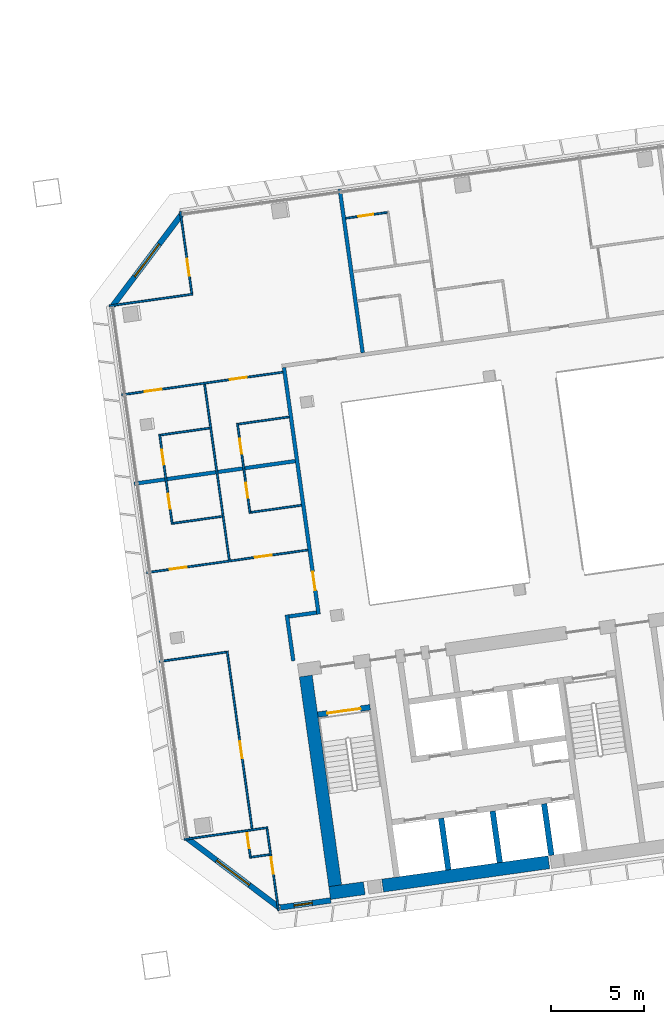
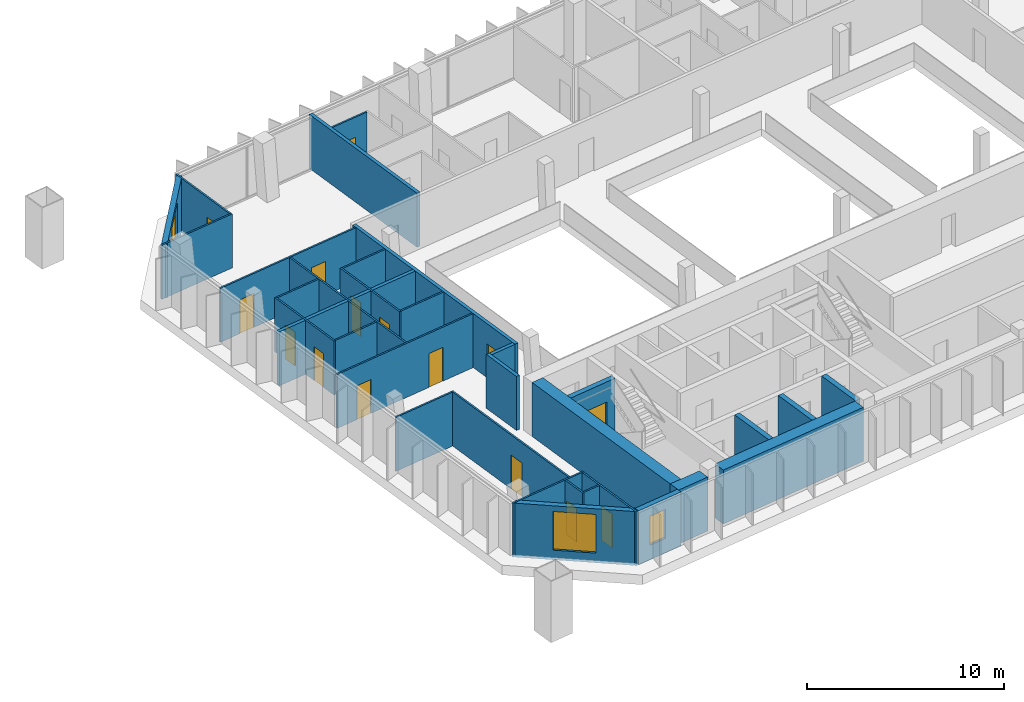
# One storey, part 17 of 23: 33 walls, 15 doors, 3 windows, 18 openings.
"""IFC4 building model written with IfcOpenShell, lengths in metres."""

from ifc_helpers import new_model, si_unit, direction, frame, frame_2d, origin, place, context, subcontext, project, spatial, rectangle, extrude, material, layer, layer_set, type_object, element, fill, save


model = new_model("IFC4")

# Units and contexts
model_context = context("Model", 3, precision=1e-05, world=origin(), true_north=direction((0.0, 1.0)))
body_context = subcontext(model_context, "Body", "Model", "MODEL_VIEW")
ifc_project = project(units=[si_unit("LENGTHUNIT", "METRE"), si_unit("AREAUNIT", "SQUARE_METRE"), si_unit("VOLUMEUNIT", "CUBIC_METRE"), si_unit("PLANEANGLEUNIT", "RADIAN"), si_unit("MASSUNIT", "GRAM", prefix="KILO")], contexts=[model_context])

# Site, building, storey
site_placement = place(None, origin())
site = spatial("IfcSite", under=ifc_project, at=site_placement, CompositionType="ELEMENT")
building_placement = place(site_placement, origin())
building = spatial("IfcBuilding", under=site, at=building_placement, Name="Mirante Cascada Hotel Towers", CompositionType="ELEMENT")
storey_placement = place(building_placement, frame((0.0, 0.0, 199.2)))
storey = spatial("IfcBuildingStorey", under=building, at=storey_placement, Name="L47", CompositionType="ELEMENT", Elevation=199.2)

# Walls
ifc_material_1 = material(Name="Fire-rated plasterboard on metal studs")
ifc_layer_1 = layer(ifc_material_1, 0.2)
ifc_layer_set_1 = layer_set([ifc_layer_1], Name="Compartment wall 200 EI 120")
wall_type_1 = type_object("IfcWallType", Name="Compartment wall 200 EI 120", PredefinedType="PARTITIONING", material=ifc_layer_set_1)
wall_1_placement = place(storey_placement, frame((36.5138, -4.518, 0.0), z_axis=(0.0, 0.0, 1.0), x_axis=(-0.9902735, -0.1391343, 0.0)))
element("IfcWall", 1, at=wall_1_placement, inside=storey, type_object=wall_type_1, Name="Wall 2-L47-07", PredefinedType="PARTITIONING", context=body_context, shape_type="SweptSolid", body=[
    extrude(rectangle(XDim=1.5, YDim=0.2, at=frame_2d((0.75, 0.0))), origin(), (0.0, 0.0, 1.0), 3.35),
])
wall_2_placement = place(storey_placement, frame((26.6958, 2.4164, 0.0), z_axis=(0.0, 0.0, 1.0), x_axis=(0.990268, 0.1391733, 0.0)))
element("IfcWall", 2, at=wall_2_placement, inside=storey, type_object=wall_type_1, Name="Wall 2-L47-14", PredefinedType="PARTITIONING", context=body_context, shape_type="SweptSolid", body=[
    extrude(rectangle(XDim=8.7574, YDim=0.2, at=frame_2d((4.3787, 0.0))), origin(), (0.0, 0.0, 1.0), 3.35),
])
wall_3_placement = place(storey_placement, frame((34.9155, -4.6416, 0.0), z_axis=(0.0, 0.0, 1.0), x_axis=(0.1391586, -0.9902701, 0.0)))
element("IfcWall", 3, at=wall_3_placement, inside=storey, type_object=wall_type_1, Name="Wall 2-L47-37", PredefinedType="PARTITIONING", context=body_context, shape_type="SweptSolid", body=[
    extrude(rectangle(XDim=2.5, YDim=0.2, at=frame_2d((1.25, 0.0))), origin(), (0.0, 0.0, 1.0), 3.35),
])

# Wall, opening, door
wall_4_placement = place(storey_placement, frame((36.6268, -4.6031, 0.0), z_axis=(0.0, 0.0, 1.0), x_axis=(-0.1391789, 0.9902673, 0.0)))
wall_4 = element("IfcWall", 4, at=wall_4_placement, inside=storey, type_object=wall_type_1, Name="Wall 2-L47-38", PredefinedType="PARTITIONING", context=body_context, shape_type="SweptSolid", body=[
    extrude(rectangle(XDim=13.4, YDim=0.2, at=frame_2d((6.7, 0.0))), origin(), (0.0, 0.0, 1.0), 3.35),
])
opening_1_placement = place(wall_4_placement, frame((1.3, 0.0, 0.0)))
opening_1 = element("IfcOpeningElement", 5, at=opening_1_placement, cuts=wall_4, Name="Opening D2-L47-24", PredefinedType="OPENING", context=body_context, shape_type="SweptSolid", body=[
    extrude(rectangle(XDim=1.0, YDim=2.1, at=frame_2d((0.5, 1.05))), frame((0.0, 0.1, 0.0), z_axis=(0.0, -1.0, 0.0), x_axis=(1.0, 0.0, 0.0)), (0.0, 0.0, 1.0), 0.2),
])
ifc_material_2 = material(Name="Fire-rated timber door leaf", Category="wood")
door_type_1 = type_object("IfcDoorType", Name="Entrance door DG1 1000x2100 EI 60", OperationType="SINGLE_SWING_LEFT", PredefinedType="DOOR", material=ifc_material_2)
door_1_placement = place(opening_1_placement, origin())
door_1 = element("IfcDoor", 6, at=door_1_placement, inside=storey, type_object=door_type_1, Name="Door D2-L47-24", OperationType="SINGLE_SWING_LEFT", OverallHeight=2.1, OverallWidth=1.0, PredefinedType="DOOR", context=body_context, shape_type="SweptSolid", body=[
    extrude(rectangle(XDim=1.0, YDim=2.1, at=frame_2d((0.5, 1.05))), frame((0.0, 0.025, 0.0), z_axis=(0.0, -1.0, 0.0), x_axis=(1.0, 0.0, 0.0)), (0.0, 0.0, 1.0), 0.05),
])
fill(opening_1, door_1)

# Walls
wall_5_placement = place(storey_placement, frame((37.7611, 18.2775, 0.0), z_axis=(0.0, 0.0, 1.0), x_axis=(0.1391684, -0.9902687, 0.0)))
element("IfcWall", 7, at=wall_5_placement, inside=storey, type_object=wall_type_1, Name="Wall 2-L47-39", PredefinedType="PARTITIONING", context=body_context, shape_type="SweptSolid", body=[
    extrude(rectangle(XDim=8.9, YDim=0.2, at=frame_2d((4.45, 0.0))), origin(), (0.0, 0.0, 1.0), 3.35),
])
ifc_material_3 = material(Name="Plasterboard on metal studs")
ifc_layer_2 = layer(ifc_material_3, 0.1)
ifc_layer_set_2 = layer_set([ifc_layer_2], Name="Partition 100")
wall_type_2 = type_object("IfcWallType", Name="Partition 100", PredefinedType="PARTITIONING", material=ifc_layer_set_2)
wall_6_placement = place(storey_placement, frame((33.995, -17.5453, 0.0), z_axis=(0.0, 0.0, 1.0), x_axis=(-0.990265, -0.1391951, 0.0)))
element("IfcWall", 8, at=wall_6_placement, inside=storey, type_object=wall_type_2, Name="Wall 2-L47-01", PredefinedType="PARTITIONING", context=body_context, shape_type="SweptSolid", body=[
    extrude(rectangle(XDim=1.0, YDim=0.1, at=frame_2d((0.5, 0.0))), origin(), (0.0, 0.0, 1.0), 3.35),
])
wall_7_placement = place(storey_placement, frame((29.3865, -16.7287, 0.0), z_axis=(0.0, 0.0, 1.0), x_axis=(0.9902691, 0.1391656, 0.0)))
element("IfcWall", 9, at=wall_7_placement, inside=storey, type_object=wall_type_2, Name="Wall 2-L47-02", PredefinedType="PARTITIONING", context=body_context, shape_type="SweptSolid", body=[
    extrude(rectangle(XDim=4.55, YDim=0.1, at=frame_2d((2.275, 0.0))), origin(), (0.0, 0.0, 1.0), 3.35),
])
wall_8_placement = place(storey_placement, frame((31.6586, -6.6477, 0.0), z_axis=(0.0, 0.0, 1.0), x_axis=(-0.9902683, -0.1391714, 0.0)))
element("IfcWall", 10, at=wall_8_placement, inside=storey, type_object=wall_type_2, Name="Wall 2-L47-05", PredefinedType="PARTITIONING", context=body_context, shape_type="SweptSolid", body=[
    extrude(rectangle(XDim=3.6531, YDim=0.1, at=frame_2d((1.8266, 0.0))), origin(), (0.0, 0.0, 1.0), 3.35),
])

# Wall, openings, doors
wall_9_placement = place(storey_placement, frame((27.3685, -2.3698, 0.0), z_axis=(0.0, 0.0, 1.0), x_axis=(0.9902678, 0.1391749, 0.0)))
wall_9 = element("IfcWall", 11, at=wall_9_placement, inside=storey, type_object=wall_type_2, Name="Wall 2-L47-08", PredefinedType="PARTITIONING", context=body_context, shape_type="SweptSolid", body=[
    extrude(rectangle(XDim=8.7573, YDim=0.1, at=frame_2d((4.3787, 0.0))), origin(), (0.0, 0.0, 1.0), 3.35),
])
opening_2_placement = place(wall_9_placement, frame((1.2644, 0.0, 0.0)))
opening_2 = element("IfcOpeningElement", 12, at=opening_2_placement, cuts=wall_9, Name="Opening D2-L47-02", PredefinedType="OPENING", context=body_context, shape_type="SweptSolid", body=[
    extrude(rectangle(XDim=0.9, YDim=2.1, at=frame_2d((0.45, 1.05))), frame((0.0, 0.05, 0.0), z_axis=(0.0, -1.0, 0.0), x_axis=(1.0, 0.0, 0.0)), (0.0, 0.0, 1.0), 0.1),
])
opening_3_placement = place(wall_9_placement, frame((5.8931, 0.0, 0.0)))
opening_3 = element("IfcOpeningElement", 13, at=opening_3_placement, cuts=wall_9, Name="Opening D2-L47-03", PredefinedType="OPENING", context=body_context, shape_type="SweptSolid", body=[
    extrude(rectangle(XDim=0.9, YDim=2.1, at=frame_2d((0.45, 1.05))), frame((0.0, 0.05, 0.0), z_axis=(0.0, -1.0, 0.0), x_axis=(1.0, 0.0, 0.0)), (0.0, 0.0, 1.0), 0.1),
])
ifc_material_4 = material(Name="Timber door leaf", Category="wood")
door_type_2 = type_object("IfcDoorType", Name="Room door DG3 900x2100", OperationType="SINGLE_SWING_LEFT", PredefinedType="DOOR", material=ifc_material_4)
door_2_placement = place(opening_2_placement, frame((0.9, 0.0, 0.0), z_axis=(0.0, 0.0, 1.0), x_axis=(-1.0, 0.0, 0.0)))
door_2 = element("IfcDoor", 14, at=door_2_placement, inside=storey, type_object=door_type_2, Name="Door D2-L47-02", OperationType="SINGLE_SWING_RIGHT", OverallHeight=2.1, OverallWidth=0.9, PredefinedType="DOOR", context=body_context, shape_type="SweptSolid", body=[
    extrude(rectangle(XDim=0.9, YDim=2.1, at=frame_2d((0.45, 1.05))), frame((0.0, 0.025, 0.0), z_axis=(0.0, -1.0, 0.0), x_axis=(1.0, 0.0, 0.0)), (0.0, 0.0, 1.0), 0.05),
])
fill(opening_2, door_2)
door_3_placement = place(opening_3_placement, frame((0.9, 0.0, 0.0), z_axis=(0.0, 0.0, 1.0), x_axis=(-1.0, 0.0, 0.0)))
door_3 = element("IfcDoor", 15, at=door_3_placement, inside=storey, type_object=door_type_2, Name="Door D2-L47-03", OperationType="SINGLE_SWING_RIGHT", OverallHeight=2.1, OverallWidth=0.9, PredefinedType="DOOR", context=body_context, shape_type="SweptSolid", body=[
    extrude(rectangle(XDim=0.9, YDim=2.1, at=frame_2d((0.45, 1.05))), frame((0.0, 0.025, 0.0), z_axis=(0.0, -1.0, 0.0), x_axis=(1.0, 0.0, 0.0)), (0.0, 0.0, 1.0), 0.05),
])
fill(opening_3, door_3)

# Walls
wall_10_placement = place(storey_placement, frame((31.4365, 0.6591, 0.0), z_axis=(0.0, 0.0, 1.0), x_axis=(-0.9902667, -0.1391831, 0.0)))
element("IfcWall", 16, at=wall_10_placement, inside=storey, type_object=wall_type_2, Name="Wall 2-L47-11", PredefinedType="PARTITIONING", context=body_context, shape_type="SweptSolid", body=[
    extrude(rectangle(XDim=2.6713, YDim=0.1, at=frame_2d((1.3356, 0.0))), origin(), (0.0, 0.0, 1.0), 3.35),
])
wall_11_placement = place(storey_placement, frame((32.9787, 0.8758, 0.0), z_axis=(0.0, 0.0, 1.0), x_axis=(0.9902648, 0.1391963, 0.0)))
element("IfcWall", 17, at=wall_11_placement, inside=storey, type_object=wall_type_2, Name="Wall 2-L47-12", PredefinedType="PARTITIONING", context=body_context, shape_type="SweptSolid", body=[
    extrude(rectangle(XDim=2.7501, YDim=0.1, at=frame_2d((1.3751, 0.0))), origin(), (0.0, 0.0, 1.0), 3.35),
])
wall_12_placement = place(storey_placement, frame((30.7685, 5.4124, 0.0), z_axis=(0.0, 0.0, 1.0), x_axis=(-0.9902667, -0.1391831, 0.0)))
element("IfcWall", 18, at=wall_12_placement, inside=storey, type_object=wall_type_2, Name="Wall 2-L47-15", PredefinedType="PARTITIONING", context=body_context, shape_type="SweptSolid", body=[
    extrude(rectangle(XDim=2.6713, YDim=0.1, at=frame_2d((1.3356, 0.0))), origin(), (0.0, 0.0, 1.0), 3.35),
])
wall_13_placement = place(storey_placement, frame((32.3107, 5.6291, 0.0), z_axis=(0.0, 0.0, 1.0), x_axis=(0.9902648, 0.1391963, 0.0)))
element("IfcWall", 19, at=wall_13_placement, inside=storey, type_object=wall_type_2, Name="Wall 2-L47-16", PredefinedType="PARTITIONING", context=body_context, shape_type="SweptSolid", body=[
    extrude(rectangle(XDim=2.7501, YDim=0.1, at=frame_2d((1.3751, 0.0))), origin(), (0.0, 0.0, 1.0), 3.35),
])

# Wall, openings, doors
wall_14_placement = place(storey_placement, frame((34.6953, 8.4216, 0.0), z_axis=(0.0, 0.0, 1.0), x_axis=(-0.990268, -0.1391733, 0.0)))
wall_14 = element("IfcWall", 20, at=wall_14_placement, inside=storey, type_object=wall_type_2, Name="Wall 2-L47-17", PredefinedType="PARTITIONING", context=body_context, shape_type="SweptSolid", body=[
    extrude(rectangle(XDim=8.7574, YDim=0.1, at=frame_2d((4.3787, 0.0))), origin(), (0.0, 0.0, 1.0), 3.35),
])
opening_4_placement = place(wall_14_placement, frame((6.593, 0.0, 0.0)))
opening_4 = element("IfcOpeningElement", 21, at=opening_4_placement, cuts=wall_14, Name="Opening D2-L47-04", PredefinedType="OPENING", context=body_context, shape_type="SweptSolid", body=[
    extrude(rectangle(XDim=0.9, YDim=2.1, at=frame_2d((0.45, 1.05))), frame((0.0, 0.05, 0.0), z_axis=(0.0, -1.0, 0.0), x_axis=(1.0, 0.0, 0.0)), (0.0, 0.0, 1.0), 0.1),
])
opening_5_placement = place(wall_14_placement, frame((1.9643, 0.0, 0.0)))
opening_5 = element("IfcOpeningElement", 22, at=opening_5_placement, cuts=wall_14, Name="Opening D2-L47-05", PredefinedType="OPENING", context=body_context, shape_type="SweptSolid", body=[
    extrude(rectangle(XDim=0.9, YDim=2.1, at=frame_2d((0.45, 1.05))), frame((0.0, 0.05, 0.0), z_axis=(0.0, -1.0, 0.0), x_axis=(1.0, 0.0, 0.0)), (0.0, 0.0, 1.0), 0.1),
])
door_4_placement = place(opening_4_placement, frame((0.9, 0.0, 0.0), z_axis=(0.0, 0.0, 1.0), x_axis=(-1.0, 0.0, 0.0)))
door_4 = element("IfcDoor", 23, at=door_4_placement, inside=storey, type_object=door_type_2, Name="Door D2-L47-04", OperationType="SINGLE_SWING_RIGHT", OverallHeight=2.1, OverallWidth=0.9, PredefinedType="DOOR", context=body_context, shape_type="SweptSolid", body=[
    extrude(rectangle(XDim=0.9, YDim=2.1, at=frame_2d((0.45, 1.05))), frame((0.0, 0.025, 0.0), z_axis=(0.0, -1.0, 0.0), x_axis=(1.0, 0.0, 0.0)), (0.0, 0.0, 1.0), 0.05),
])
fill(opening_4, door_4)
door_5_placement = place(opening_5_placement, frame((0.9, 0.0, 0.0), z_axis=(0.0, 0.0, 1.0), x_axis=(-1.0, 0.0, 0.0)))
door_5 = element("IfcDoor", 24, at=door_5_placement, inside=storey, type_object=door_type_2, Name="Door D2-L47-05", OperationType="SINGLE_SWING_RIGHT", OverallHeight=2.1, OverallWidth=0.9, PredefinedType="DOOR", context=body_context, shape_type="SweptSolid", body=[
    extrude(rectangle(XDim=0.9, YDim=2.1, at=frame_2d((0.45, 1.05))), frame((0.0, 0.025, 0.0), z_axis=(0.0, -1.0, 0.0), x_axis=(1.0, 0.0, 0.0)), (0.0, 0.0, 1.0), 0.05),
])
fill(opening_5, door_5)

# Wall
wall_15_placement = place(storey_placement, frame((29.8562, 12.6223, 0.0), z_axis=(0.0, 0.0, 1.0), x_axis=(-0.9902661, -0.1391871, 0.0)))
element("IfcWall", 25, at=wall_15_placement, inside=storey, type_object=wall_type_2, Name="Wall 2-L47-25", PredefinedType="PARTITIONING", context=body_context, shape_type="SweptSolid", body=[
    extrude(rectangle(XDim=4.55, YDim=0.1, at=frame_2d((2.275, 0.0))), origin(), (0.0, 0.0, 1.0), 3.35),
])

# Wall, opening, door
wall_16_placement = place(storey_placement, frame((38.0828, 16.707, 0.0), z_axis=(0.0, 0.0, 1.0), x_axis=(0.9902705, 0.1391561, 0.0)))
wall_16 = element("IfcWall", 26, at=wall_16_placement, inside=storey, type_object=wall_type_2, Name="Wall 2-L47-28", PredefinedType="PARTITIONING", context=body_context, shape_type="SweptSolid", body=[
    extrude(rectangle(XDim=2.25, YDim=0.1, at=frame_2d((1.125, 0.0))), origin(), (0.0, 0.0, 1.0), 3.35),
])
opening_6_placement = place(wall_16_placement, frame((0.7, 0.0, 0.0)))
opening_6 = element("IfcOpeningElement", 27, at=opening_6_placement, cuts=wall_16, Name="Opening D2-L47-14", PredefinedType="OPENING", context=body_context, shape_type="SweptSolid", body=[
    extrude(rectangle(XDim=0.8, YDim=2.1, at=frame_2d((0.4, 1.05))), frame((0.0, 0.05, 0.0), z_axis=(0.0, -1.0, 0.0), x_axis=(1.0, 0.0, 0.0)), (0.0, 0.0, 1.0), 0.1),
])
ifc_material_5 = material(Name="Timber door leaf", Category="wood")
door_type_3 = type_object("IfcDoorType", Name="Bathroom door DG4 800x2100", OperationType="SINGLE_SWING_LEFT", PredefinedType="DOOR", material=ifc_material_5)
door_6_placement = place(opening_6_placement, frame((0.8, 0.0, 0.0), z_axis=(0.0, 0.0, 1.0), x_axis=(-1.0, 0.0, 0.0)))
door_6 = element("IfcDoor", 28, at=door_6_placement, inside=storey, type_object=door_type_3, Name="Door D2-L47-14", OperationType="SINGLE_SWING_RIGHT", OverallHeight=2.1, OverallWidth=0.8, PredefinedType="DOOR", context=body_context, shape_type="SweptSolid", body=[
    extrude(rectangle(XDim=0.8, YDim=2.1, at=frame_2d((0.4, 1.05))), frame((0.0, 0.025, 0.0), z_axis=(0.0, -1.0, 0.0), x_axis=(1.0, 0.0, 0.0)), (0.0, 0.0, 1.0), 0.05),
])
fill(opening_6, door_6)

# Wall, openings, doors
wall_17_placement = place(storey_placement, frame((28.7486, 0.2309, 0.0), z_axis=(0.0, 0.0, 1.0), x_axis=(-0.1391638, 0.9902694, 0.0)))
wall_17 = element("IfcWall", 29, at=wall_17_placement, inside=storey, type_object=wall_type_2, Name="Wall 2-L47-30", PredefinedType="PARTITIONING", context=body_context, shape_type="SweptSolid", body=[
    extrude(rectangle(XDim=4.9, YDim=0.1, at=frame_2d((2.45, 0.0))), origin(), (0.0, 0.0, 1.0), 3.35),
])
opening_7_placement = place(wall_17_placement, frame((0.85, 0.0, 0.0)))
opening_7 = element("IfcOpeningElement", 30, at=opening_7_placement, cuts=wall_17, Name="Opening D2-L47-16", PredefinedType="OPENING", context=body_context, shape_type="SweptSolid", body=[
    extrude(rectangle(XDim=0.8, YDim=2.1, at=frame_2d((0.4, 1.05))), frame((0.0, 0.05, 0.0), z_axis=(0.0, -1.0, 0.0), x_axis=(1.0, 0.0, 0.0)), (0.0, 0.0, 1.0), 0.1),
])
opening_8_placement = place(wall_17_placement, frame((3.25, 0.0, 0.0)))
opening_8 = element("IfcOpeningElement", 31, at=opening_8_placement, cuts=wall_17, Name="Opening D2-L47-17", PredefinedType="OPENING", context=body_context, shape_type="SweptSolid", body=[
    extrude(rectangle(XDim=0.8, YDim=2.1, at=frame_2d((0.4, 1.05))), frame((0.0, 0.05, 0.0), z_axis=(0.0, -1.0, 0.0), x_axis=(1.0, 0.0, 0.0)), (0.0, 0.0, 1.0), 0.1),
])
door_7_placement = place(opening_7_placement, frame((0.8, 0.0, 0.0), z_axis=(0.0, 0.0, 1.0), x_axis=(-1.0, 0.0, 0.0)))
door_7 = element("IfcDoor", 32, at=door_7_placement, inside=storey, type_object=door_type_3, Name="Door D2-L47-16", OperationType="SINGLE_SWING_RIGHT", OverallHeight=2.1, OverallWidth=0.8, PredefinedType="DOOR", context=body_context, shape_type="SweptSolid", body=[
    extrude(rectangle(XDim=0.8, YDim=2.1, at=frame_2d((0.4, 1.05))), frame((0.0, 0.025, 0.0), z_axis=(0.0, -1.0, 0.0), x_axis=(1.0, 0.0, 0.0)), (0.0, 0.0, 1.0), 0.05),
])
fill(opening_7, door_7)
door_8_placement = place(opening_8_placement, frame((0.8, 0.0, 0.0), z_axis=(0.0, 0.0, 1.0), x_axis=(-1.0, 0.0, 0.0)))
door_8 = element("IfcDoor", 33, at=door_8_placement, inside=storey, type_object=door_type_3, Name="Door D2-L47-17", OperationType="SINGLE_SWING_RIGHT", OverallHeight=2.1, OverallWidth=0.8, PredefinedType="DOOR", context=body_context, shape_type="SweptSolid", body=[
    extrude(rectangle(XDim=0.8, YDim=2.1, at=frame_2d((0.4, 1.05))), frame((0.0, 0.025, 0.0), z_axis=(0.0, -1.0, 0.0), x_axis=(1.0, 0.0, 0.0)), (0.0, 0.0, 1.0), 0.05),
])
fill(opening_8, door_8)

# Wall, opening, door
wall_18_placement = place(storey_placement, frame((32.7603, -16.3051, 0.0), z_axis=(0.0, 0.0, 1.0), x_axis=(0.1391809, -0.990267, 0.0)))
wall_18 = element("IfcWall", 34, at=wall_18_placement, inside=storey, type_object=wall_type_2, Name="Wall 2-L47-31", PredefinedType="PARTITIONING", context=body_context, shape_type="SweptSolid", body=[
    extrude(rectangle(XDim=1.4499, YDim=0.1, at=frame_2d((0.725, 0.0))), origin(), (0.0, 0.0, 1.0), 3.35),
])
opening_9_placement = place(wall_18_placement, frame((0.1, 0.0, 0.0)))
opening_9 = element("IfcOpeningElement", 35, at=opening_9_placement, cuts=wall_18, Name="Opening D2-L47-18", PredefinedType="OPENING", context=body_context, shape_type="SweptSolid", body=[
    extrude(rectangle(XDim=0.8, YDim=2.1, at=frame_2d((0.4, 1.05))), frame((0.0, 0.05, 0.0), z_axis=(0.0, -1.0, 0.0), x_axis=(1.0, 0.0, 0.0)), (0.0, 0.0, 1.0), 0.1),
])
door_9_placement = place(opening_9_placement, origin())
door_9 = element("IfcDoor", 36, at=door_9_placement, inside=storey, type_object=door_type_3, Name="Door D2-L47-18", OperationType="SINGLE_SWING_LEFT", OverallHeight=2.1, OverallWidth=0.8, PredefinedType="DOOR", context=body_context, shape_type="SweptSolid", body=[
    extrude(rectangle(XDim=0.8, YDim=2.1, at=frame_2d((0.4, 1.05))), frame((0.0, 0.025, 0.0), z_axis=(0.0, -1.0, 0.0), x_axis=(1.0, 0.0, 0.0)), (0.0, 0.0, 1.0), 0.05),
])
fill(opening_9, door_9)

wall_19_placement = place(storey_placement, frame((33.0465, -16.1639, 0.0), z_axis=(0.0, 0.0, 1.0), x_axis=(-0.1391776, 0.9902674, 0.0)))
wall_19 = element("IfcWall", 37, at=wall_19_placement, inside=storey, type_object=wall_type_2, Name="Wall 2-L47-32", PredefinedType="PARTITIONING", context=body_context, shape_type="SweptSolid", body=[
    extrude(rectangle(XDim=9.6668, YDim=0.1, at=frame_2d((4.8334, 0.0))), origin(), (0.0, 0.0, 1.0), 3.35),
])
opening_10_placement = place(wall_19_placement, frame((3.85, 0.0, 0.0)))
opening_10 = element("IfcOpeningElement", 38, at=opening_10_placement, cuts=wall_19, Name="Opening D2-L47-19", PredefinedType="OPENING", context=body_context, shape_type="SweptSolid", body=[
    extrude(rectangle(XDim=0.9, YDim=2.1, at=frame_2d((0.45, 1.05))), frame((0.0, 0.05, 0.0), z_axis=(0.0, -1.0, 0.0), x_axis=(1.0, 0.0, 0.0)), (0.0, 0.0, 1.0), 0.1),
])
door_10_placement = place(opening_10_placement, frame((0.9, 0.0, 0.0), z_axis=(0.0, 0.0, 1.0), x_axis=(-1.0, 0.0, 0.0)))
door_10 = element("IfcDoor", 39, at=door_10_placement, inside=storey, type_object=door_type_2, Name="Door D2-L47-19", OperationType="SINGLE_SWING_RIGHT", OverallHeight=2.1, OverallWidth=0.9, PredefinedType="DOOR", context=body_context, shape_type="SweptSolid", body=[
    extrude(rectangle(XDim=0.9, YDim=2.1, at=frame_2d((0.45, 1.05))), frame((0.0, 0.025, 0.0), z_axis=(0.0, -1.0, 0.0), x_axis=(1.0, 0.0, 0.0)), (0.0, 0.0, 1.0), 0.05),
])
fill(opening_10, door_10)

wall_20_placement = place(storey_placement, frame((33.8496, -16.152, 0.0), z_axis=(0.0, 0.0, 1.0), x_axis=(0.1391904, -0.9902656, 0.0)))
wall_20 = element("IfcWall", 40, at=wall_20_placement, inside=storey, type_object=wall_type_2, Name="Wall 2-L47-33", PredefinedType="PARTITIONING", context=body_context, shape_type="SweptSolid", body=[
    extrude(rectangle(XDim=4.45, YDim=0.1, at=frame_2d((2.225, 0.0))), origin(), (0.0, 0.0, 1.0), 3.35),
])
opening_11_placement = place(wall_20_placement, frame((1.55, 0.0, 0.0)))
opening_11 = element("IfcOpeningElement", 41, at=opening_11_placement, cuts=wall_20, Name="Opening D2-L47-20", PredefinedType="OPENING", context=body_context, shape_type="SweptSolid", body=[
    extrude(rectangle(XDim=0.9, YDim=2.1, at=frame_2d((0.45, 1.05))), frame((0.0, 0.05, 0.0), z_axis=(0.0, -1.0, 0.0), x_axis=(1.0, 0.0, 0.0)), (0.0, 0.0, 1.0), 0.1),
])
door_11_placement = place(opening_11_placement, origin())
door_11 = element("IfcDoor", 42, at=door_11_placement, inside=storey, type_object=door_type_2, Name="Door D2-L47-20", OperationType="SINGLE_SWING_LEFT", OverallHeight=2.1, OverallWidth=0.9, PredefinedType="DOOR", context=body_context, shape_type="SweptSolid", body=[
    extrude(rectangle(XDim=0.9, YDim=2.1, at=frame_2d((0.45, 1.05))), frame((0.0, 0.025, 0.0), z_axis=(0.0, -1.0, 0.0), x_axis=(1.0, 0.0, 0.0)), (0.0, 0.0, 1.0), 0.05),
])
fill(opening_11, door_11)

# Wall
wall_21_placement = place(storey_placement, frame((31.8177, -1.694, 0.0), z_axis=(0.0, 0.0, 1.0), x_axis=(-0.1391703, 0.9902685, 0.0)))
element("IfcWall", 43, at=wall_21_placement, inside=storey, type_object=wall_type_2, Name="Wall 2-L47-34", PredefinedType="PARTITIONING", context=body_context, shape_type="SweptSolid", body=[
    extrude(rectangle(XDim=9.5667, YDim=0.1, at=frame_2d((4.7834, 0.0))), origin(), (0.0, 0.0, 1.0), 3.35),
])

# Wall, opening, door
wall_22_placement = place(storey_placement, frame((29.1804, 17.0715, 0.0), z_axis=(0.0, 0.0, 1.0), x_axis=(0.1391684, -0.9902687, 0.0)))
wall_22 = element("IfcWall", 44, at=wall_22_placement, inside=storey, type_object=wall_type_2, Name="Wall 2-L47-35", PredefinedType="PARTITIONING", context=body_context, shape_type="SweptSolid", body=[
    extrude(rectangle(XDim=4.45, YDim=0.1, at=frame_2d((2.225, 0.0))), origin(), (0.0, 0.0, 1.0), 3.35),
])
opening_12_placement = place(wall_22_placement, frame((2.5833, 0.0, 0.0)))
opening_12 = element("IfcOpeningElement", 45, at=opening_12_placement, cuts=wall_22, Name="Opening D2-L47-21", PredefinedType="OPENING", context=body_context, shape_type="SweptSolid", body=[
    extrude(rectangle(XDim=0.9, YDim=2.1, at=frame_2d((0.45, 1.05))), frame((0.0, 0.05, 0.0), z_axis=(0.0, -1.0, 0.0), x_axis=(1.0, 0.0, 0.0)), (0.0, 0.0, 1.0), 0.1),
])
door_12_placement = place(opening_12_placement, origin())
door_12 = element("IfcDoor", 46, at=door_12_placement, inside=storey, type_object=door_type_2, Name="Door D2-L47-21", OperationType="SINGLE_SWING_LEFT", OverallHeight=2.1, OverallWidth=0.9, PredefinedType="DOOR", context=body_context, shape_type="SweptSolid", body=[
    extrude(rectangle(XDim=0.9, YDim=2.1, at=frame_2d((0.45, 1.05))), frame((0.0, 0.025, 0.0), z_axis=(0.0, -1.0, 0.0), x_axis=(1.0, 0.0, 0.0)), (0.0, 0.0, 1.0), 0.05),
])
fill(opening_12, door_12)

# Wall, openings, doors
wall_23_placement = place(storey_placement, frame((32.9362, 0.8194, 0.0), z_axis=(0.0, 0.0, 1.0), x_axis=(-0.1391838, 0.9902666, 0.0)))
wall_23 = element("IfcWall", 47, at=wall_23_placement, inside=storey, type_object=wall_type_2, Name="Wall 2-L47-36", PredefinedType="PARTITIONING", context=body_context, shape_type="SweptSolid", body=[
    extrude(rectangle(XDim=4.9, YDim=0.1, at=frame_2d((2.45, 0.0))), origin(), (0.0, 0.0, 1.0), 3.35),
])
opening_13_placement = place(wall_23_placement, frame((0.85, 0.0, 0.0)))
opening_13 = element("IfcOpeningElement", 48, at=opening_13_placement, cuts=wall_23, Name="Opening D2-L47-22", PredefinedType="OPENING", context=body_context, shape_type="SweptSolid", body=[
    extrude(rectangle(XDim=0.8, YDim=2.1, at=frame_2d((0.4, 1.05))), frame((0.0, 0.05, 0.0), z_axis=(0.0, -1.0, 0.0), x_axis=(1.0, 0.0, 0.0)), (0.0, 0.0, 1.0), 0.1),
])
opening_14_placement = place(wall_23_placement, frame((3.25, 0.0, 0.0)))
opening_14 = element("IfcOpeningElement", 49, at=opening_14_placement, cuts=wall_23, Name="Opening D2-L47-23", PredefinedType="OPENING", context=body_context, shape_type="SweptSolid", body=[
    extrude(rectangle(XDim=0.8, YDim=2.1, at=frame_2d((0.4, 1.05))), frame((0.0, 0.05, 0.0), z_axis=(0.0, -1.0, 0.0), x_axis=(1.0, 0.0, 0.0)), (0.0, 0.0, 1.0), 0.1),
])
door_13_placement = place(opening_13_placement, frame((0.8, 0.0, 0.0), z_axis=(0.0, 0.0, 1.0), x_axis=(-1.0, 0.0, 0.0)))
door_13 = element("IfcDoor", 50, at=door_13_placement, inside=storey, type_object=door_type_3, Name="Door D2-L47-22", OperationType="SINGLE_SWING_RIGHT", OverallHeight=2.1, OverallWidth=0.8, PredefinedType="DOOR", context=body_context, shape_type="SweptSolid", body=[
    extrude(rectangle(XDim=0.8, YDim=2.1, at=frame_2d((0.4, 1.05))), frame((0.0, 0.025, 0.0), z_axis=(0.0, -1.0, 0.0), x_axis=(1.0, 0.0, 0.0)), (0.0, 0.0, 1.0), 0.05),
])
fill(opening_13, door_13)
door_14_placement = place(opening_14_placement, frame((0.8, 0.0, 0.0), z_axis=(0.0, 0.0, 1.0), x_axis=(-1.0, 0.0, 0.0)))
door_14 = element("IfcDoor", 51, at=door_14_placement, inside=storey, type_object=door_type_3, Name="Door D2-L47-23", OperationType="SINGLE_SWING_RIGHT", OverallHeight=2.1, OverallWidth=0.8, PredefinedType="DOOR", context=body_context, shape_type="SweptSolid", body=[
    extrude(rectangle(XDim=0.8, YDim=2.1, at=frame_2d((0.4, 1.05))), frame((0.0, 0.025, 0.0), z_axis=(0.0, -1.0, 0.0), x_axis=(1.0, 0.0, 0.0)), (0.0, 0.0, 1.0), 0.05),
])
fill(opening_14, door_14)

# Wall, opening, window
ifc_material_6 = material(Name="Precast concrete C40/50", Category="concrete")
ifc_layer_3 = layer(ifc_material_6, 0.3)
ifc_layer_set_3 = layer_set([ifc_layer_3], Name="Precast concrete C40/50 cladding wall 300")
wall_type_3 = type_object("IfcWallType", Name="Precast concrete C40/50 cladding wall 300", PredefinedType="STANDARD", material=ifc_layer_set_3)
wall_24_placement = place(storey_placement, frame((34.571, -20.3928, 0.0), z_axis=(0.0, 0.0, 1.0), x_axis=(0.9902682, 0.1391724, 0.0)))
wall_24 = element("IfcWall", 52, at=wall_24_placement, inside=storey, type_object=wall_type_3, Name="Rear cladding wall T2 L47 1", PredefinedType="STANDARD", context=body_context, shape_type="SweptSolid", body=[
    extrude(rectangle(XDim=2.7333, YDim=0.3, at=frame_2d((1.3666, 0.0))), origin(), (0.0, 0.0, 1.0), 3.35),
])
opening_15_placement = place(wall_24_placement, frame((0.7366, 0.0, 0.9)))
opening_15 = element("IfcOpeningElement", 53, at=opening_15_placement, cuts=wall_24, Name="Opening W2-47-05", PredefinedType="OPENING", context=body_context, shape_type="SweptSolid", body=[
    extrude(rectangle(XDim=1.0, YDim=1.8, at=frame_2d((0.5, 0.9))), frame((0.0, 0.15, 0.0), z_axis=(0.0, -1.0, 0.0), x_axis=(1.0, 0.0, 0.0)), (0.0, 0.0, 1.0), 0.3),
])
ifc_material_7 = material(Name="Aluminium frame with clear double glazing", Category="aluminium")
window_type_1 = type_object("IfcWindowType", Name="Punched window 1000x1800", PartitioningType="SINGLE_PANEL", PredefinedType="WINDOW", material=ifc_material_7)
window_1_placement = place(opening_15_placement, origin())
window_1 = element("IfcWindow", 54, at=window_1_placement, inside=storey, type_object=window_type_1, Name="Window W2-47-05", OverallHeight=1.8, OverallWidth=1.0, PartitioningType="SINGLE_PANEL", PredefinedType="WINDOW", context=body_context, shape_type="SweptSolid", body=[
    extrude(rectangle(XDim=1.0, YDim=1.8, at=frame_2d((0.5, 0.9))), frame((0.0, 0.03, 0.0), z_axis=(0.0, -1.0, 0.0), x_axis=(1.0, 0.0, 0.0)), (0.0, 0.0, 1.0), 0.06),
])
fill(opening_15, window_1)

wall_25_placement = place(storey_placement, frame((29.2255, 16.8821, 0.0), z_axis=(0.0, 0.0, 1.0), x_axis=(-0.6018141, -0.7986362, 0.0)))
wall_25 = element("IfcWall", 55, at=wall_25_placement, inside=storey, type_object=wall_type_3, Name="Corner cladding wall T2 L47 front inner", PredefinedType="STANDARD", context=body_context, shape_type="SweptSolid", body=[
    extrude(rectangle(XDim=6.1157, YDim=0.3, at=frame_2d((3.0578, 0.0))), origin(), (0.0, 0.0, 1.0), 3.35),
])
opening_16_placement = place(wall_25_placement, frame((1.9578, 0.0, 0.6)))
opening_16 = element("IfcOpeningElement", 56, at=opening_16_placement, cuts=wall_25, Name="Opening W2-47-03", PredefinedType="OPENING", context=body_context, shape_type="SweptSolid", body=[
    extrude(rectangle(XDim=2.2, YDim=2.4, at=frame_2d((1.1, 1.2))), frame((0.0, 0.15, 0.0), z_axis=(0.0, -1.0, 0.0), x_axis=(1.0, 0.0, 0.0)), (0.0, 0.0, 1.0), 0.3),
])
ifc_material_8 = material(Name="Aluminium frame with clear double glazing", Category="aluminium")
window_type_2 = type_object("IfcWindowType", Name="Corner suite window 2200x2400", PartitioningType="DOUBLE_PANEL_VERTICAL", PredefinedType="WINDOW", material=ifc_material_8)
window_2_placement = place(opening_16_placement, origin())
window_2 = element("IfcWindow", 57, at=window_2_placement, inside=storey, type_object=window_type_2, Name="Window W2-47-03", OverallHeight=2.4, OverallWidth=2.2, PartitioningType="SINGLE_PANEL", PredefinedType="WINDOW", context=body_context, shape_type="SweptSolid", body=[
    extrude(rectangle(XDim=2.2, YDim=2.4, at=frame_2d((1.1, 1.2))), frame((0.0, 0.03, 0.0), z_axis=(0.0, -1.0, 0.0), x_axis=(1.0, 0.0, 0.0)), (0.0, 0.0, 1.0), 0.06),
])
fill(opening_16, window_2)

wall_26_placement = place(storey_placement, frame((29.5759, -16.6836, 0.0), z_axis=(0.0, 0.0, 1.0), x_axis=(0.7986283, -0.6018245, 0.0)))
wall_26 = element("IfcWall", 58, at=wall_26_placement, inside=storey, type_object=wall_type_3, Name="Corner cladding wall T2 L47 inner rear", PredefinedType="STANDARD", context=body_context, shape_type="SweptSolid", body=[
    extrude(rectangle(XDim=6.1157, YDim=0.3, at=frame_2d((3.0578, 0.0))), origin(), (0.0, 0.0, 1.0), 3.35),
])
opening_17_placement = place(wall_26_placement, frame((1.9578, 0.0, 0.6)))
opening_17 = element("IfcOpeningElement", 59, at=opening_17_placement, cuts=wall_26, Name="Opening W2-47-04", PredefinedType="OPENING", context=body_context, shape_type="SweptSolid", body=[
    extrude(rectangle(XDim=2.2, YDim=2.4, at=frame_2d((1.1, 1.2))), frame((0.0, 0.15, 0.0), z_axis=(0.0, -1.0, 0.0), x_axis=(1.0, 0.0, 0.0)), (0.0, 0.0, 1.0), 0.3),
])
window_3_placement = place(opening_17_placement, origin())
window_3 = element("IfcWindow", 60, at=window_3_placement, inside=storey, type_object=window_type_2, Name="Window W2-47-04", OverallHeight=2.4, OverallWidth=2.2, PartitioningType="SINGLE_PANEL", PredefinedType="WINDOW", context=body_context, shape_type="SweptSolid", body=[
    extrude(rectangle(XDim=2.2, YDim=2.4, at=frame_2d((1.1, 1.2))), frame((0.0, 0.03, 0.0), z_axis=(0.0, -1.0, 0.0), x_axis=(1.0, 0.0, 0.0)), (0.0, 0.0, 1.0), 0.06),
])
fill(opening_17, window_3)

# Wall, opening, door
ifc_material_9 = material(Name="Concrete C50/60", Category="concrete")
ifc_layer_4 = layer(ifc_material_9, 0.3)
ifc_layer_set_4 = layer_set([ifc_layer_4], Name="RC core wall 300 C50/60")
wall_type_4 = type_object("IfcWallType", Name="RC core wall 300 C50/60", PredefinedType="SHEAR", material=ifc_layer_set_4)
wall_27_placement = place(storey_placement, frame((36.5791, -10.0123, 0.0), z_axis=(0.0, 0.0, 1.0), x_axis=(0.9902704, 0.1391564, 0.0)))
wall_27 = element("IfcWall", 61, at=wall_27_placement, inside=storey, type_object=wall_type_4, Name="Core wall T2:L47:8", PredefinedType="SHEAR", context=body_context, shape_type="SweptSolid", body=[
    extrude(rectangle(XDim=2.85, YDim=0.3, at=frame_2d((1.425, 0.0))), origin(), (0.0, 0.0, 1.0), 3.35),
])
opening_18_placement = place(wall_27_placement, frame((0.525, 0.0, 0.0)))
opening_18 = element("IfcOpeningElement", 62, at=opening_18_placement, cuts=wall_27, Name="Opening D2-47-C07", PredefinedType="OPENING", context=body_context, shape_type="SweptSolid", body=[
    extrude(rectangle(XDim=1.8, YDim=2.1, at=frame_2d((0.9, 1.05))), frame((0.0, 0.15, 0.0), z_axis=(0.0, -1.0, 0.0), x_axis=(1.0, 0.0, 0.0)), (0.0, 0.0, 1.0), 0.3),
])
ifc_material_10 = material(Name="Hollow metal fire door leaf")
door_type_4 = type_object("IfcDoorType", Name="Double fire door 1800x2100 FD60", OperationType="DOUBLE_DOOR_SINGLE_SWING", PredefinedType="DOOR", material=ifc_material_10)
door_15_placement = place(opening_18_placement, frame((1.8, 0.0, 0.0), z_axis=(0.0, 0.0, 1.0), x_axis=(-1.0, 0.0, 0.0)))
door_15 = element("IfcDoor", 63, at=door_15_placement, inside=storey, type_object=door_type_4, Name="Stair door T2 L47 7", OperationType="DOUBLE_DOOR_SINGLE_SWING", OverallHeight=2.1, OverallWidth=1.8, PredefinedType="DOOR", context=body_context, shape_type="SweptSolid", body=[
    extrude(rectangle(XDim=0.895, YDim=2.1, at=frame_2d((0.4475, 1.05))), frame((0.0, 0.025, 0.0), z_axis=(0.0, -1.0, 0.0), x_axis=(1.0, 0.0, 0.0)), (0.0, 0.0, 1.0), 0.05),
    extrude(rectangle(XDim=0.895, YDim=2.1, at=frame_2d((1.3525, 1.05))), frame((0.0, 0.025, 0.0), z_axis=(0.0, -1.0, 0.0), x_axis=(1.0, 0.0, 0.0)), (0.0, 0.0, 1.0), 0.05),
])
fill(opening_18, door_15)

# Walls
wall_28_placement = place(storey_placement, frame((43.61, -18.3651, 0.0), z_axis=(0.0, 0.0, 1.0), x_axis=(-0.1391459, 0.9902719, 0.0)))
element("IfcWall", 64, at=wall_28_placement, inside=storey, type_object=wall_type_4, Name="Core wall T2:L47:13", PredefinedType="SHEAR", context=body_context, shape_type="SweptSolid", body=[
    extrude(rectangle(XDim=2.7999, YDim=0.3, at=frame_2d((1.4, 0.0))), origin(), (0.0, 0.0, 1.0), 3.35),
])
wall_29_placement = place(storey_placement, frame((46.3828, -17.9754, 0.0), z_axis=(0.0, 0.0, 1.0), x_axis=(-0.139181, 0.990267, 0.0)))
element("IfcWall", 65, at=wall_29_placement, inside=storey, type_object=wall_type_4, Name="Core wall T2:L47:14", PredefinedType="SHEAR", context=body_context, shape_type="SweptSolid", body=[
    extrude(rectangle(XDim=2.8, YDim=0.3, at=frame_2d((1.4, 0.0))), origin(), (0.0, 0.0, 1.0), 3.35),
])
wall_30_placement = place(storey_placement, frame((49.1555, -17.5857, 0.0), z_axis=(0.0, 0.0, 1.0), x_axis=(-0.1391459, 0.9902719, 0.0)))
element("IfcWall", 66, at=wall_30_placement, inside=storey, type_object=wall_type_4, Name="Core wall T2:L47:15", PredefinedType="SHEAR", context=body_context, shape_type="SweptSolid", body=[
    extrude(rectangle(XDim=2.7999, YDim=0.3, at=frame_2d((1.4, 0.0))), origin(), (0.0, 0.0, 1.0), 3.35),
])
ifc_material_11 = material(Name="Concrete C50/60", Category="concrete")
ifc_layer_5 = layer(ifc_material_11, 0.7)
ifc_layer_set_5 = layer_set([ifc_layer_5], Name="RC core wall 700 C50/60")
wall_type_5 = type_object("IfcWallType", Name="RC core wall 700 C50/60", PredefinedType="SHEAR", material=ifc_layer_set_5)
wall_31_placement = place(storey_placement, frame((37.222, -19.6163, 0.0), z_axis=(0.0, 0.0, 1.0), x_axis=(0.9902692, 0.1391652, 0.0)))
element("IfcWall", 67, at=wall_31_placement, inside=storey, type_object=wall_type_5, Name="Core wall T2:L47:1.1", PredefinedType="SHEAR", context=body_context, shape_type="SweptSolid", body=[
    extrude(rectangle(XDim=1.8805, YDim=0.7, at=frame_2d((0.9402, 0.0))), origin(), (0.0, 0.0, 1.0), 3.35),
])
wall_32_placement = place(storey_placement, frame((40.0724, -19.2157, 0.0), z_axis=(0.0, 0.0, 1.0), x_axis=(0.9902694, 0.1391638, 0.0)))
element("IfcWall", 68, at=wall_32_placement, inside=storey, type_object=wall_type_5, Name="Core wall T2:L47:1.2", PredefinedType="SHEAR", context=body_context, shape_type="SweptSolid", body=[
    extrude(rectangle(XDim=9.0368, YDim=0.7, at=frame_2d((4.5184, 0.0))), origin(), (0.0, 0.0, 1.0), 3.35),
])
wall_33_placement = place(storey_placement, frame((37.5199, -19.221, 0.0), z_axis=(0.0, 0.0, 1.0), x_axis=(-0.1391761, 0.9902677, 0.0)))
element("IfcWall", 69, at=wall_33_placement, inside=storey, type_object=wall_type_5, Name="Core wall T2:L47:3", PredefinedType="SHEAR", context=body_context, shape_type="SweptSolid", body=[
    extrude(rectangle(XDim=11.3999, YDim=0.7, at=frame_2d((5.7, 0.0))), origin(), (0.0, 0.0, 1.0), 3.35),
])

save(model, "model.ifc")
